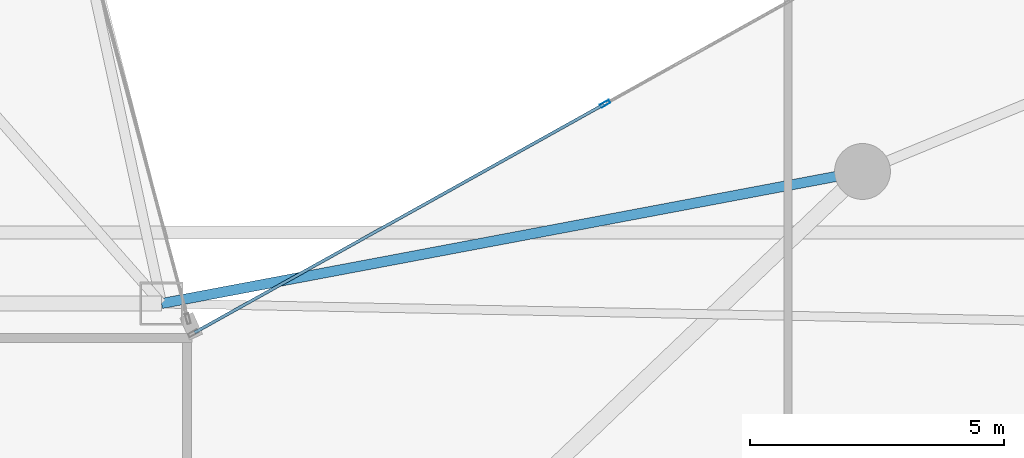
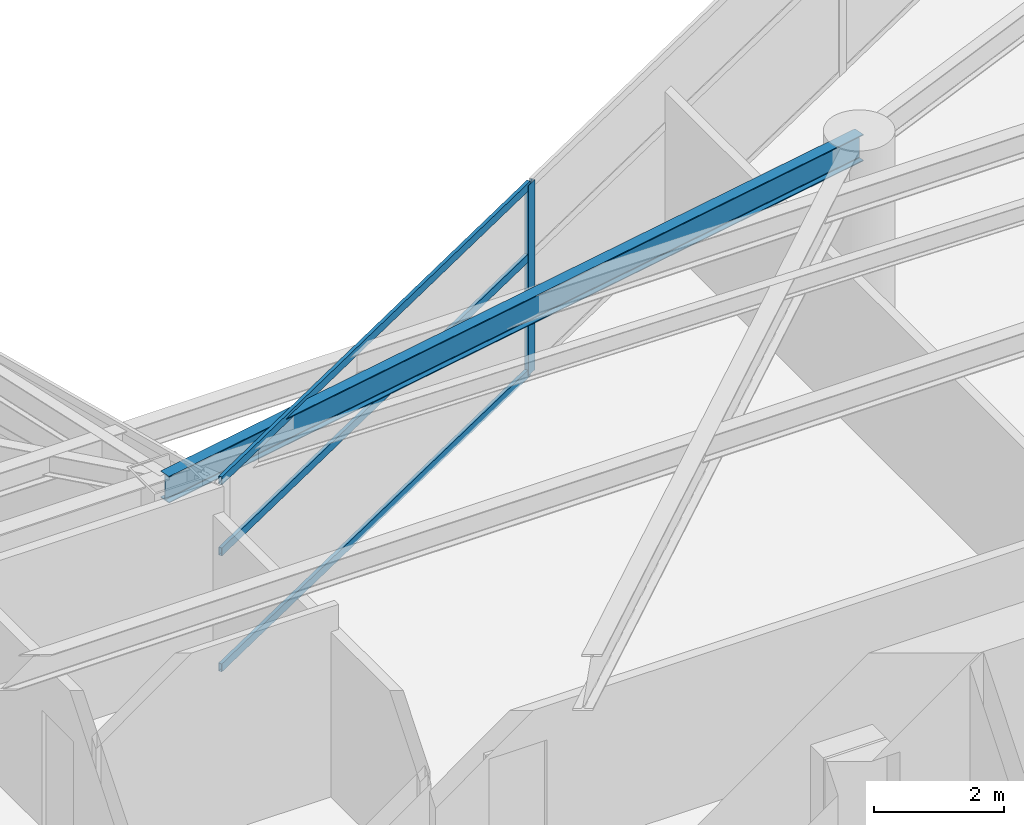
# One storey, part 11 of 28: 4 members, 1 beam, 1 element without a shape of its own.
"""IFC4 building model written with IfcOpenShell, lengths in metres."""

from ifc_helpers import new_model, si_unit, direction, frame, origin, origin_2d, place, context, subcontext, project, spatial, hollow_rectangle, i_section, extrude, material, layer, layer_set, material_profile, profile_set, type_object, element, aggregate, save


model = new_model("IFC4")

# Units and contexts
model_context = context("Model", 3, precision=1e-05, world=origin(), true_north=direction((0.0, 1.0)))
body_context = subcontext(model_context, "Body", "Model", "MODEL_VIEW")
ifc_project = project(units=[si_unit("LENGTHUNIT", "METRE"), si_unit("AREAUNIT", "SQUARE_METRE"), si_unit("VOLUMEUNIT", "CUBIC_METRE"), si_unit("PLANEANGLEUNIT", "RADIAN"), si_unit("MASSUNIT", "GRAM", prefix="KILO")], contexts=[model_context])

# Site, building, storey
site_placement = place(None, origin())
site = spatial("IfcSite", under=ifc_project, at=site_placement, CompositionType="ELEMENT")
building_placement = place(site_placement, origin())
building = spatial("IfcBuilding", under=site, at=building_placement, Name="Calvorn Quay Hotel", CompositionType="ELEMENT")
storey_placement = place(building_placement, frame((0.0, 0.0, 108.800048828125)))
storey = spatial("IfcBuildingStorey", under=building, at=storey_placement, Name="L26", CompositionType="ELEMENT", Elevation=108.800048828125)

# Beam
ifc_material_1 = material(Name="Steel Q355B", Category="steel")
ifc_material_profile_1 = material_profile(ifc_material_1, i_section(OverallWidth=0.199951171875, OverallDepth=0.5, WebThickness=0.010009765625, FlangeThickness=0.01611328125, FilletRadius=0.01611328125, at=origin_2d()), Name="HN500x200x10x16")
ifc_profile_set_1 = profile_set([ifc_material_profile_1], Name="Steel Q355B")
beam_type = type_object("IfcBeamType", Name="BM-SPANDREL-Z1", PredefinedType="SPANDREL", material=ifc_profile_set_1)
beam_placement = place(storey_placement, frame((34.800048828125, 27.60009765625, 3.2900390625), z_axis=(-0.982709432406, -0.185154452988, 0.0), x_axis=(0.185154452988, -0.982709432406, 0.0)))
element("IfcBeam", 1, at=beam_placement, inside=storey, type_object=beam_type, Name="Beam BSP-L26-E5", PredefinedType="SPANDREL", context=body_context, shape_type="SweptSolid", body=[
    extrude(i_section(OverallWidth=0.199951171875, OverallDepth=0.5, WebThickness=0.010009765625, FlangeThickness=0.01611328125, FilletRadius=0.01611328125, at=origin_2d()), origin(), (0.0, 0.0, 1.0), 14.04296875),
])

# Curtain wall, members
ifc_material_2 = material(Name="Pale Anodised Aluminium and Low-E Glass", Category="aluminium")
ifc_layer = layer(ifc_material_2, 0.219970703125)
ifc_layer_set = layer_set([ifc_layer], Name="CW-SYS-Z2")
curtain_wall_type = type_object("IfcCurtainWallType", Name="CW-SYS-Z2", PredefinedType="NOTDEFINED", material=ifc_layer_set)
curtain_wall_placement = place(storey_placement, origin())
curtain_wall = element("IfcCurtainWall", 2, at=curtain_wall_placement, inside=storey, type_object=curtain_wall_type, Name="Inner Court Curtain Wall L26-NE1", PredefinedType="NOTDEFINED")
ifc_material_3 = material(Name="Pale Anodised Aluminium 6063-T6", Category="aluminium")
ifc_material_profile_2 = material_profile(ifc_material_3, hollow_rectangle(XDim=0.070068359375, YDim=0.199951171875, WallThickness=0.00390625, at=origin_2d()), Name="ALU-M200x70x4")
ifc_profile_set_2 = profile_set([ifc_material_profile_2], Name="Pale Anodised Aluminium 6063-T6")
member_type_1 = type_object("IfcMemberType", Name="CW-SYS-Z2-MUL", PredefinedType="MULLION", material=ifc_profile_set_2)
member_1_placement = place(storey_placement, frame((29.7333984375, 28.933349609375, 0.0), z_axis=(0.0, 0.0, 1.0), x_axis=(0.486858256224, -0.873480989116, 0.0)))
member_1 = element("IfcMember", 3, at=member_1_placement, type_object=member_type_1, Name="CW-L26-NE1 mullion 3", PredefinedType="MULLION", context=body_context, shape_type="SweptSolid", body=[
    extrude(hollow_rectangle(XDim=0.070068359375, YDim=0.199951171875, WallThickness=0.00390625, at=origin_2d()), origin(), (0.0, 0.0, 1.0), 3.56005859375),
])
ifc_material_4 = material(Name="Pale Anodised Aluminium 6063-T6", Category="aluminium")
ifc_material_profile_3 = material_profile(ifc_material_4, hollow_rectangle(XDim=0.06005859375, YDim=0.14990234375, WallThickness=0.00341796875, at=origin_2d()), Name="ALU-T150x60x3.5")
ifc_profile_set_3 = profile_set([ifc_material_profile_3], Name="Pale Anodised Aluminium 6063-T6")
member_type_2 = type_object("IfcMemberType", Name="CW-SYS-Z2-TRN", PredefinedType="USERDEFINED", material=ifc_profile_set_3)
member_2_placement = place(storey_placement, frame((29.70703125, 28.918701171875, 0.030029296875), z_axis=(-0.87348080454, -0.486858587375, 0.0), x_axis=(0.486858587375, -0.87348080454, 0.0)))
member_2 = element("IfcMember", 4, at=member_2_placement, type_object=member_type_2, Name="CW-L26-NE1 transom 3.1", ObjectType="TRANSOM", PredefinedType="USERDEFINED", context=body_context, shape_type="SweptSolid", body=[
    extrude(hollow_rectangle(XDim=0.06005859375, YDim=0.14990234375, WallThickness=0.00341796875, at=origin_2d()), origin(), (0.0, 0.0, 1.0), 9.221435546875),
])
member_3_placement = place(storey_placement, frame((29.70703125, 28.918701171875, 2.199951171875), z_axis=(-0.87348080454, -0.486858587375, 0.0), x_axis=(0.486858587375, -0.87348080454, 0.0)))
member_3 = element("IfcMember", 5, at=member_3_placement, type_object=member_type_2, Name="CW-L26-NE1 transom 3.2", ObjectType="TRANSOM", PredefinedType="USERDEFINED", context=body_context, shape_type="SweptSolid", body=[
    extrude(hollow_rectangle(XDim=0.06005859375, YDim=0.14990234375, WallThickness=0.00341796875, at=origin_2d()), origin(), (0.0, 0.0, 1.0), 9.221435546875),
])
member_4_placement = place(storey_placement, frame((29.70703125, 28.918701171875, 3.530029296875), z_axis=(-0.87348080454, -0.486858587375, 0.0), x_axis=(0.486858587375, -0.87348080454, 0.0)))
member_4 = element("IfcMember", 6, at=member_4_placement, type_object=member_type_2, Name="CW-L26-NE1 transom 3.3", ObjectType="TRANSOM", PredefinedType="USERDEFINED", context=body_context, shape_type="SweptSolid", body=[
    extrude(hollow_rectangle(XDim=0.06005859375, YDim=0.14990234375, WallThickness=0.00341796875, at=origin_2d()), origin(), (0.0, 0.0, 1.0), 9.221435546875),
])
aggregate(curtain_wall, [member_1, member_2, member_3, member_4])

save(model, "model.ifc")
